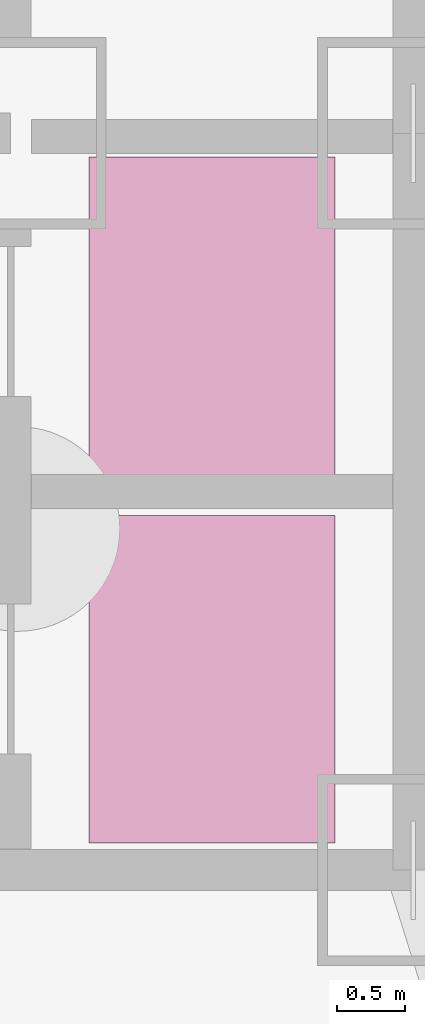
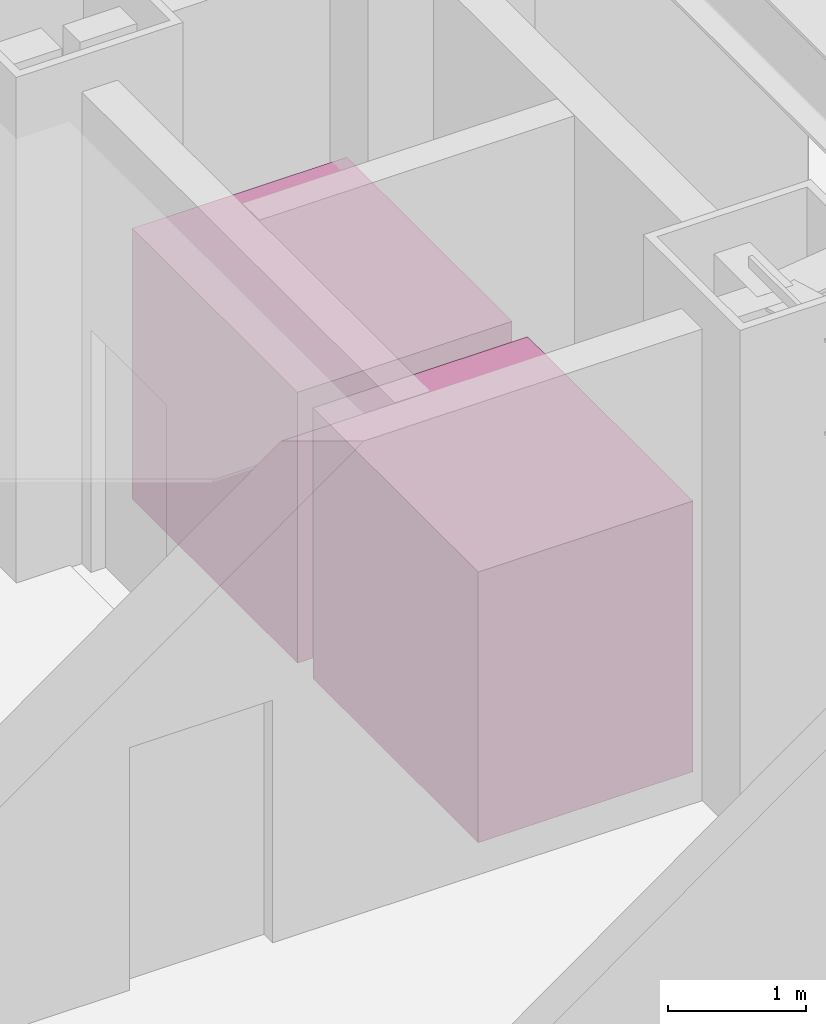
# One storey, part 15 of 15: 2 transport elements.
"""IFC4 building model written with IfcOpenShell, lengths in metres."""

from ifc_helpers import new_model, si_unit, direction, frame, origin, origin_2d, place, context, subcontext, project, spatial, rectangle, extrude, material, type_object, element, save


model = new_model("IFC4")

# Units and contexts
model_context = context("Model", 3, precision=1e-05, world=origin(), true_north=direction((0.0, 1.0)))
body_context = subcontext(model_context, "Body", "Model", "MODEL_VIEW")
ifc_project = project(units=[si_unit("LENGTHUNIT", "METRE"), si_unit("AREAUNIT", "SQUARE_METRE"), si_unit("VOLUMEUNIT", "CUBIC_METRE"), si_unit("PLANEANGLEUNIT", "RADIAN"), si_unit("MASSUNIT", "GRAM", prefix="KILO")], contexts=[model_context])

# Site, building, storey
site_placement = place(None, origin())
site = spatial("IfcSite", under=ifc_project, at=site_placement, CompositionType="ELEMENT")
building_placement = place(site_placement, origin())
building = spatial("IfcBuilding", under=site, at=building_placement, Name="Khamvora Tower", CompositionType="ELEMENT")
storey_placement = place(building_placement, frame((0.0, 0.0, -9.0)))
storey = spatial("IfcBuildingStorey", under=building, at=storey_placement, Name="B2", CompositionType="ELEMENT", Elevation=-9.0)

# Transport elements
ifc_material = material(Name="Brushed Stainless Steel 316", Category="steel")
transport_element_type = type_object("IfcTransportElementType", Name="LFT-FF-1800", PredefinedType="ELEVATOR", material=ifc_material)
for number, where, z_axis, x_axis, name in (
    (1, (37.925048828125, 20.39990234375, 0.0), (0.0, 0.0, 1.0), (1.0, 0.0, 0.0), "Firefighting and Stretcher Lift FFL-01"),
    (2, (37.925048828125, 23.02490234375, 0.0), (0.0, 0.0, 1.0), (1.0, 0.0, 0.0), "Firefighting and Stretcher Lift FFL-02"),
):
    element("IfcTransportElement", number, at=place(storey_placement, frame(where, z_axis=z_axis, x_axis=x_axis)), inside=storey, type_object=transport_element_type, Name=name, PredefinedType="ELEVATOR", context=body_context, shape_type="SweptSolid", body=[
        extrude(rectangle(XDim=1.800048828125, YDim=2.39990234375, at=origin_2d()), origin(), (0.0, 0.0, 1.0), 2.39990234375),
    ])

save(model, "model.ifc")
